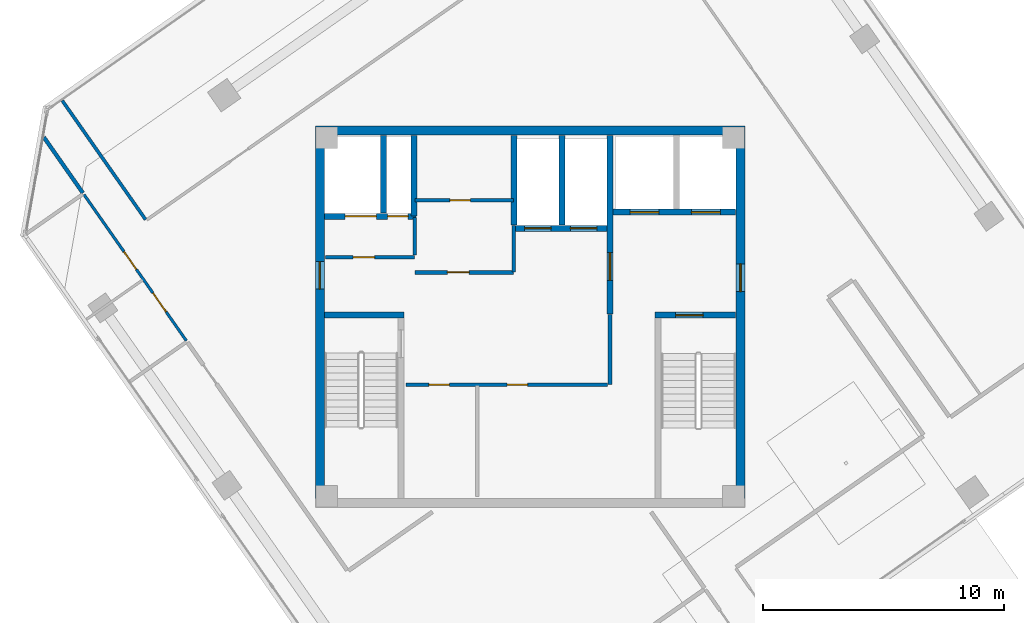
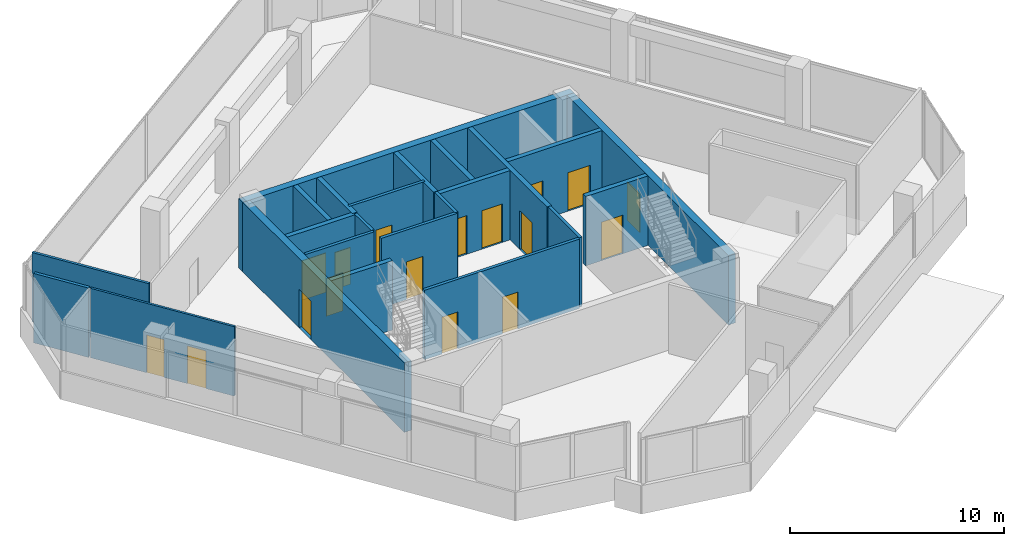
# One storey, part 12 of 17: 23 walls, 17 doors, 17 openings.
"""IFC4 building model written with IfcOpenShell, lengths in metres."""

from ifc_helpers import new_model, si_unit, direction, frame, frame_2d, origin, place, context, subcontext, project, spatial, rectangle, extrude, source, transform, mapped, material, layer, layer_set, type_object, element, fill, save


model = new_model("IFC4")

# Units and contexts
model_context = context("Model", 3, precision=1e-05, world=origin(), true_north=direction((0.0, 1.0)))
body_context = subcontext(model_context, "Body", "Model", "MODEL_VIEW")
ifc_project = project(units=[si_unit("LENGTHUNIT", "METRE"), si_unit("AREAUNIT", "SQUARE_METRE"), si_unit("VOLUMEUNIT", "CUBIC_METRE"), si_unit("PLANEANGLEUNIT", "RADIAN"), si_unit("MASSUNIT", "GRAM", prefix="KILO")], contexts=[model_context])

# Site, building, storey
site_placement = place(None, origin())
site = spatial("IfcSite", under=ifc_project, at=site_placement, CompositionType="ELEMENT")
building_placement = place(site_placement, origin())
building = spatial("IfcBuilding", under=site, at=building_placement, Name="Torre Montelarca", CompositionType="ELEMENT")
storey_placement = place(building_placement, frame((0.0, 0.0, 298.800048828125)))
storey = spatial("IfcBuildingStorey", under=building, at=storey_placement, Name="L67", CompositionType="ELEMENT", Elevation=298.800048828125)

# Wall
ifc_material_1 = material(Name="Concrete C40/50", Category="concrete")
ifc_layer_1 = layer(ifc_material_1, 0.25, Name="Concrete C40/50", Category="concrete")
ifc_layer_set_1 = layer_set([ifc_layer_1], Name="Concrete C40/50")
wall_type_1 = type_object("IfcWallType", Name="CW-SHAFT-250", PredefinedType="SHEAR", material=ifc_layer_set_1)
wall_1_placement = place(storey_placement, frame((9.4599609375, 32.074951171875, 0.0), z_axis=(0.0, 0.0, 1.0), x_axis=(1.0, 0.0, 0.0)))
element("IfcWall", 1, at=wall_1_placement, inside=storey, type_object=wall_type_1, Name="L67 Core Shear Wall SH-ST1-N", PredefinedType="SHEAR", context=body_context, shape_type="SweptSolid", body=[
    extrude(rectangle(XDim=3.2900390625, YDim=0.25, at=frame_2d((1.64501953125, 0.0))), origin(), (0.0, 0.0, 1.0), 3.9599609375),
])

# Wall, opening, door
wall_2_placement = place(storey_placement, frame((23.18994140625, 32.074951171875, 0.0), z_axis=(0.0, 0.0, 1.0), x_axis=(1.0, 0.0, 0.0)))
wall_2 = element("IfcWall", 2, at=wall_2_placement, inside=storey, type_object=wall_type_1, Name="L67 Core Shear Wall SH-ST2-N", PredefinedType="SHEAR", context=body_context, shape_type="SweptSolid", body=[
    extrude(rectangle(XDim=3.35009765625, YDim=0.25, at=frame_2d((1.675048828125, 0.0))), origin(), (0.0, 0.0, 1.0), 3.9599609375),
])
opening_1_placement = place(wall_2_placement, frame((0.85009765625, 0.0, 0.0)))
opening_1 = element("IfcOpeningElement", 3, at=opening_1_placement, cuts=wall_2, Name="Opening FD-ST1", PredefinedType="OPENING", context=body_context, shape_type="SweptSolid", body=[
    extrude(rectangle(XDim=1.14990234375, YDim=2.199951171875, at=frame_2d((0.574951171875, 1.10009765625))), frame((0.0, 0.135009765625, 0.0), z_axis=(0.0, -1.0, 0.0), x_axis=(1.0, 0.0, 0.0)), (0.0, 0.0, 1.0), 0.27001953125),
])
ifc_material_2 = material(Name="Galvanized steel fire door", Category="steel")
door_type_1 = type_object("IfcDoorType", Name="DR-STAIR-115", OperationType="NOTDEFINED", PredefinedType="DOOR", material=ifc_material_2)
shared_shape_1 = source(origin(), body_context, "Body", "SweptSolid", [
    extrude(rectangle(XDim=1.14990234375, YDim=2.199951171875, at=frame_2d((0.574951171875, 1.10009765625))), frame((0.0, 0.02490234375, 0.0), z_axis=(0.0, -1.0, 0.0), x_axis=(1.0, 0.0, 0.0)), (0.0, 0.0, 1.0), 0.050048828125),
])
door_1_placement = place(opening_1_placement, origin())
door_1 = element("IfcDoor", 4, at=door_1_placement, inside=storey, type_object=door_type_1, Name="L67 Exit Stair ST2 Fire Door", OperationType="SINGLE_SWING_RIGHT", OverallHeight=2.199951171875, OverallWidth=1.14990234375, PredefinedType="DOOR", context=body_context, shape_type="MappedRepresentation", body=[
    mapped(shared_shape_1, transform((0.0, 0.0, 0.0), scale=1.0)),
])
fill(opening_1, door_1)

wall_3_placement = place(storey_placement, frame((21.320068359375, 32.1201171875, 0.0), z_axis=(0.0, 0.0, 1.0), x_axis=(0.0, 1.0, 0.0)))
wall_3 = element("IfcWall", 5, at=wall_3_placement, inside=storey, type_object=wall_type_1, Name="L67 Core Shear Wall SH-FFL-W", PredefinedType="SHEAR", context=body_context, shape_type="SweptSolid", body=[
    extrude(rectangle(XDim=7.419921875, YDim=0.25, at=frame_2d((3.7099609375, 0.0))), origin(), (0.0, 0.0, 1.0), 3.9599609375),
])
opening_2_placement = place(wall_3_placement, frame((1.39990234375, 0.0, 0.0)))
opening_2 = element("IfcOpeningElement", 6, at=opening_2_placement, cuts=wall_3, Name="Opening FD-LB1", PredefinedType="OPENING", context=body_context, shape_type="SweptSolid", body=[
    extrude(rectangle(XDim=1.14990234375, YDim=2.199951171875, at=frame_2d((0.574951171875, 1.10009765625))), frame((0.0, 0.135009765625, 0.0), z_axis=(0.0, -1.0, 0.0), x_axis=(1.0, 0.0, 0.0)), (0.0, 0.0, 1.0), 0.27001953125),
])
ifc_material_3 = material(Name="Acoustic timber-veneered fire door", Category="wood")
door_type_2 = type_object("IfcDoorType", Name="DR-LOBBY-115", OperationType="NOTDEFINED", PredefinedType="DOOR", material=ifc_material_3)
shared_shape_2 = source(origin(), body_context, "Body", "SweptSolid", [
    extrude(rectangle(XDim=1.14990234375, YDim=2.199951171875, at=frame_2d((0.574951171875, 1.10009765625))), frame((0.0, 0.02490234375, 0.0), z_axis=(0.0, -1.0, 0.0), x_axis=(1.0, 0.0, 0.0)), (0.0, 0.0, 1.0), 0.050048828125),
])
door_2_placement = place(opening_2_placement, origin())
door_2 = element("IfcDoor", 7, at=door_2_placement, inside=storey, type_object=door_type_2, Name="L67 Lift Lobby to Firefighting Lobby Smoke Door", OperationType="SINGLE_SWING_LEFT", OverallHeight=2.199951171875, OverallWidth=1.14990234375, PredefinedType="DOOR", context=body_context, shape_type="MappedRepresentation", body=[
    mapped(shared_shape_2, transform((0.0, 0.0, 0.0), scale=1.0)),
])
fill(opening_2, door_2)

# Wall, openings, doors
wall_4_placement = place(storey_placement, frame((9.4599609375, 36.179931640625, 0.0), z_axis=(0.0, 0.0, 1.0), x_axis=(1.0, 0.0, 0.0)))
wall_4 = element("IfcWall", 8, at=wall_4_placement, inside=storey, type_object=wall_type_1, Name="L67 Core Shear Wall SH-SV1-S", PredefinedType="SHEAR", context=body_context, shape_type="SweptSolid", body=[
    extrude(rectangle(XDim=3.7900390625, YDim=0.25, at=frame_2d((1.89501953125, 0.0))), origin(), (0.0, 0.0, 1.0), 3.9599609375),
])
opening_3_placement = place(wall_4_placement, frame((2.6201171875, 0.0, 0.0)))
opening_3 = element("IfcOpeningElement", 9, at=opening_3_placement, cuts=wall_4, Name="Opening FD-085", PredefinedType="OPENING", context=body_context, shape_type="SweptSolid", body=[
    extrude(rectangle(XDim=0.85009765625, YDim=2.10009765625, at=frame_2d((0.425048828125, 1.050048828125))), frame((0.0, 0.135009765625, 0.0), z_axis=(0.0, -1.0, 0.0), x_axis=(1.0, 0.0, 0.0)), (0.0, 0.0, 1.0), 0.27001953125),
])
opening_4_placement = place(wall_4_placement, frame((0.85009765625, 0.0, 0.0)))
opening_4 = element("IfcOpeningElement", 10, at=opening_4_placement, cuts=wall_4, Name="Opening LD-130", PredefinedType="OPENING", context=body_context, shape_type="SweptSolid", body=[
    extrude(rectangle(XDim=1.300048828125, YDim=2.25, at=frame_2d((0.64990234375, 1.125))), frame((0.0, 0.135009765625, 0.0), z_axis=(0.0, -1.0, 0.0), x_axis=(1.0, 0.0, 0.0)), (0.0, 0.0, 1.0), 0.27001953125),
])
ifc_material_4 = material(Name="Steel riser access fire door", Category="steel")
door_type_3 = type_object("IfcDoorType", Name="DR-RISER-085", OperationType="NOTDEFINED", PredefinedType="DOOR", material=ifc_material_4)
shared_shape_3 = source(origin(), body_context, "Body", "SweptSolid", [
    extrude(rectangle(XDim=0.85009765625, YDim=2.10009765625, at=frame_2d((0.425048828125, 1.050048828125))), frame((0.0, 0.02490234375, 0.0), z_axis=(0.0, -1.0, 0.0), x_axis=(1.0, 0.0, 0.0)), (0.0, 0.0, 1.0), 0.050048828125),
])
door_3_placement = place(opening_3_placement, origin())
door_3 = element("IfcDoor", 11, at=door_3_placement, inside=storey, type_object=door_type_3, Name="L67 Electrical Riser Shaft Access Door", OperationType="SINGLE_SWING_RIGHT", OverallHeight=2.10009765625, OverallWidth=0.85009765625, PredefinedType="DOOR", context=body_context, shape_type="MappedRepresentation", body=[
    mapped(shared_shape_3, transform((0.0, 0.0, 0.0), scale=1.0)),
])
fill(opening_3, door_3)
ifc_material_5 = material(Name="Brushed stainless steel AISI 316", Category="steel")
door_type_4 = type_object("IfcDoorType", Name="DR-LIFT-130", OperationType="SLIDING_TO_LEFT", PredefinedType="DOOR", material=ifc_material_5)
shared_shape_4 = source(origin(), body_context, "Body", "SweptSolid", [
    extrude(rectangle(XDim=1.300048828125, YDim=2.25, at=frame_2d((0.64990234375, 1.125))), frame((0.0, 0.02490234375, 0.0), z_axis=(0.0, -1.0, 0.0), x_axis=(1.0, 0.0, 0.0)), (0.0, 0.0, 1.0), 0.050048828125),
])
door_4_placement = place(opening_4_placement, origin())
door_4 = element("IfcDoor", 12, at=door_4_placement, inside=storey, type_object=door_type_4, Name="L67 Lift Landing Sliding Door SV-1", OperationType="SLIDING_TO_LEFT", OverallHeight=2.25, OverallWidth=1.300048828125, PredefinedType="DOOR", context=body_context, shape_type="MappedRepresentation", body=[
    mapped(shared_shape_4, transform((0.0, 0.0, 0.0), scale=1.0)),
])
fill(opening_4, door_4)

# Wall
wall_5_placement = place(storey_placement, frame((11.89990234375, 36.31005859375, 0.0), z_axis=(0.0, 0.0, 1.0), x_axis=(0.0, 1.0, 0.0)))
element("IfcWall", 13, at=wall_5_placement, inside=storey, type_object=wall_type_1, Name="L67 Core Shear Wall SH-SV1-E", PredefinedType="SHEAR", context=body_context, shape_type="SweptSolid", body=[
    extrude(rectangle(XDim=3.22998046875, YDim=0.25, at=frame_2d((1.614990234375, 0.0))), origin(), (0.0, 0.0, 1.0), 3.9599609375),
])

# Wall, openings, doors
wall_6_placement = place(storey_placement, frame((21.449951171875, 36.35009765625, 0.0), z_axis=(0.0, 0.0, 1.0), x_axis=(1.0, 0.0, 0.0)))
wall_6 = element("IfcWall", 14, at=wall_6_placement, inside=storey, type_object=wall_type_1, Name="L67 Core Shear Wall SH-FF-S", PredefinedType="SHEAR", context=body_context, shape_type="SweptSolid", body=[
    extrude(rectangle(XDim=5.090087890625, YDim=0.25, at=frame_2d((2.544921875, 0.0))), origin(), (0.0, 0.0, 1.0), 3.9599609375),
])
opening_5_placement = place(wall_6_placement, frame((0.699951171875, 0.0, 0.0)))
opening_5 = element("IfcOpeningElement", 15, at=opening_5_placement, cuts=wall_6, Name="Opening LD-120", PredefinedType="OPENING", context=body_context, shape_type="SweptSolid", body=[
    extrude(rectangle(XDim=1.199951171875, YDim=2.199951171875, at=frame_2d((0.60009765625, 1.10009765625))), frame((0.0, 0.135009765625, 0.0), z_axis=(0.0, -1.0, 0.0), x_axis=(1.0, 0.0, 0.0)), (0.0, 0.0, 1.0), 0.27001953125),
])
opening_6_placement = place(wall_6_placement, frame((3.25, 0.0, 0.0)))
opening_6 = element("IfcOpeningElement", 16, at=opening_6_placement, cuts=wall_6, Name="Opening LD-120", PredefinedType="OPENING", context=body_context, shape_type="SweptSolid", body=[
    extrude(rectangle(XDim=1.199951171875, YDim=2.199951171875, at=frame_2d((0.60009765625, 1.10009765625))), frame((0.0, 0.135009765625, 0.0), z_axis=(0.0, -1.0, 0.0), x_axis=(1.0, 0.0, 0.0)), (0.0, 0.0, 1.0), 0.27001953125),
])
door_type_5 = type_object("IfcDoorType", Name="DR-LIFT-120", OperationType="SLIDING_TO_RIGHT", PredefinedType="DOOR", material=ifc_material_5)
shared_shape_5 = source(origin(), body_context, "Body", "SweptSolid", [
    extrude(rectangle(XDim=1.199951171875, YDim=2.199951171875, at=frame_2d((0.60009765625, 1.10009765625))), frame((0.0, 0.02490234375, 0.0), z_axis=(0.0, -1.0, 0.0), x_axis=(1.0, 0.0, 0.0)), (0.0, 0.0, 1.0), 0.050048828125),
])
door_5_placement = place(opening_5_placement, origin())
door_5 = element("IfcDoor", 17, at=door_5_placement, inside=storey, type_object=door_type_5, Name="L67 Lift Landing Sliding Door FF-1", OperationType="SLIDING_TO_LEFT", OverallHeight=2.199951171875, OverallWidth=1.199951171875, PredefinedType="DOOR", context=body_context, shape_type="MappedRepresentation", body=[
    mapped(shared_shape_5, transform((0.0, 0.0, 0.0), scale=1.0)),
])
fill(opening_5, door_5)
door_6_placement = place(opening_6_placement, origin())
door_6 = element("IfcDoor", 18, at=door_6_placement, inside=storey, type_object=door_type_5, Name="L67 Lift Landing Sliding Door FF-2", OperationType="SLIDING_TO_RIGHT", OverallHeight=2.199951171875, OverallWidth=1.199951171875, PredefinedType="DOOR", context=body_context, shape_type="MappedRepresentation", body=[
    mapped(shared_shape_5, transform((0.0, 0.0, 0.0), scale=1.0)),
])
fill(opening_6, door_6)

# Wall
wall_7_placement = place(storey_placement, frame((13.179931640625, 36.199951171875, 0.0), z_axis=(0.0, 0.0, 1.0), x_axis=(0.0, 1.0, 0.0)))
element("IfcWall", 19, at=wall_7_placement, inside=storey, type_object=wall_type_1, Name="L67 Core Shear Wall SH-RSR1-E", PredefinedType="SHEAR", context=body_context, shape_type="SweptSolid", body=[
    extrude(rectangle(XDim=3.340087890625, YDim=0.25, at=frame_2d((1.669921875, 0.0))), origin(), (0.0, 0.0, 1.0), 3.9599609375),
])

# Wall, openings, doors
wall_8_placement = place(storey_placement, frame((17.320068359375, 35.679931640625, 0.0), z_axis=(0.0, 0.0, 1.0), x_axis=(1.0, 0.0, 0.0)))
wall_8 = element("IfcWall", 20, at=wall_8_placement, inside=storey, type_object=wall_type_1, Name="L67 Core Shear Wall SH-PLH-S", PredefinedType="SHEAR", context=body_context, shape_type="SweptSolid", body=[
    extrude(rectangle(XDim=3.869873046875, YDim=0.25, at=frame_2d((1.93505859375, 0.0))), origin(), (0.0, 0.0, 1.0), 3.9599609375),
])
opening_7_placement = place(wall_8_placement, frame((0.449951171875, 0.0, 0.0)))
opening_7 = element("IfcOpeningElement", 21, at=opening_7_placement, cuts=wall_8, Name="Opening LD-110", PredefinedType="OPENING", context=body_context, shape_type="SweptSolid", body=[
    extrude(rectangle(XDim=1.10009765625, YDim=2.199951171875, at=frame_2d((0.550048828125, 1.10009765625))), frame((0.0, 0.135009765625, 0.0), z_axis=(0.0, -1.0, 0.0), x_axis=(1.0, 0.0, 0.0)), (0.0, 0.0, 1.0), 0.27001953125),
])
opening_8_placement = place(wall_8_placement, frame((2.35009765625, 0.0, 0.0)))
opening_8 = element("IfcOpeningElement", 22, at=opening_8_placement, cuts=wall_8, Name="Opening LD-110", PredefinedType="OPENING", context=body_context, shape_type="SweptSolid", body=[
    extrude(rectangle(XDim=1.10009765625, YDim=2.199951171875, at=frame_2d((0.550048828125, 1.10009765625))), frame((0.0, 0.135009765625, 0.0), z_axis=(0.0, -1.0, 0.0), x_axis=(1.0, 0.0, 0.0)), (0.0, 0.0, 1.0), 0.27001953125),
])
door_type_6 = type_object("IfcDoorType", Name="DR-LIFT-110", OperationType="SLIDING_TO_LEFT", PredefinedType="DOOR", material=ifc_material_5)
shared_shape_6 = source(origin(), body_context, "Body", "SweptSolid", [
    extrude(rectangle(XDim=1.10009765625, YDim=2.199951171875, at=frame_2d((0.550048828125, 1.10009765625))), frame((0.0, 0.02490234375, 0.0), z_axis=(0.0, -1.0, 0.0), x_axis=(1.0, 0.0, 0.0)), (0.0, 0.0, 1.0), 0.050048828125),
])
door_7_placement = place(opening_7_placement, origin())
door_7 = element("IfcDoor", 23, at=door_7_placement, inside=storey, type_object=door_type_6, Name="L67 Lift Landing Sliding Door PL-H1", OperationType="SLIDING_TO_LEFT", OverallHeight=2.199951171875, OverallWidth=1.10009765625, PredefinedType="DOOR", context=body_context, shape_type="MappedRepresentation", body=[
    mapped(shared_shape_6, transform((0.0, 0.0, 0.0), scale=1.0)),
])
fill(opening_7, door_7)
door_8_placement = place(opening_8_placement, origin())
door_8 = element("IfcDoor", 24, at=door_8_placement, inside=storey, type_object=door_type_6, Name="L67 Lift Landing Sliding Door PL-H2", OperationType="SLIDING_TO_RIGHT", OverallHeight=2.199951171875, OverallWidth=1.10009765625, PredefinedType="DOOR", context=body_context, shape_type="MappedRepresentation", body=[
    mapped(shared_shape_6, transform((0.0, 0.0, 0.0), scale=1.0)),
])
fill(opening_8, door_8)

# Walls
for number, where, z_axis, x_axis, name in (
    (25, (17.320068359375, 35.81005859375, 0.0), (0.0, 0.0, 1.0), (0.0, 1.0, 0.0), "L67 Core Shear Wall SH-PLH-W"),
    (26, (19.320068359375, 35.81005859375, 0.0), (0.0, 0.0, 1.0), (0.0, 1.0, 0.0), "L67 Core Shear Wall SH-PLH-M"),
):
    element("IfcWall", number, at=place(storey_placement, frame(where, z_axis=z_axis, x_axis=x_axis)), inside=storey, type_object=wall_type_1, Name=name, PredefinedType="SHEAR", context=body_context, shape_type="SweptSolid", body=[
        extrude(rectangle(XDim=3.72998046875, YDim=0.25, at=frame_2d((1.864990234375, 0.0))), origin(), (0.0, 0.0, 1.0), 3.9599609375),
    ])

# Wall, opening, door
ifc_layer_2 = layer(ifc_material_1, 0.3798828125, Name="Concrete C40/50", Category="concrete")
ifc_layer_set_2 = layer_set([ifc_layer_2], Name="Concrete C40/50")
wall_type_2 = type_object("IfcWallType", Name="CW-SHEAR-380", PredefinedType="SHEAR", material=ifc_layer_set_2)
wall_9_placement = place(storey_placement, frame((9.260009765625, 24.449951171875, 0.0), z_axis=(0.0, 0.0, 1.0), x_axis=(0.0, 1.0, 0.0)))
wall_9 = element("IfcWall", 27, at=wall_9_placement, inside=storey, type_object=wall_type_2, Name="L67 Core Shear Wall CW-W", PredefinedType="SHEAR", context=body_context, shape_type="SweptSolid", body=[
    extrude(rectangle(XDim=15.10009765625, YDim=0.3798828125, at=frame_2d((7.550048828125, 0.0))), origin(), (0.0, 0.0, 1.0), 3.9599609375),
])
opening_9_placement = place(wall_9_placement, frame((8.699951171875, 0.0, 0.0)))
opening_9 = element("IfcOpeningElement", 28, at=opening_9_placement, cuts=wall_9, Name="Opening FD-LB1", PredefinedType="OPENING", context=body_context, shape_type="SweptSolid", body=[
    extrude(rectangle(XDim=1.14990234375, YDim=2.199951171875, at=frame_2d((0.574951171875, 1.10009765625))), frame((0.0, 0.199951171875, 0.0), z_axis=(0.0, -1.0, 0.0), x_axis=(1.0, 0.0, 0.0)), (0.0, 0.0, 1.0), 0.39990234375),
])
door_9_placement = place(opening_9_placement, origin())
door_9 = element("IfcDoor", 29, at=door_9_placement, inside=storey, type_object=door_type_2, Name="L67 Passenger Lift Lobby West Corridor Fire Door", OperationType="SINGLE_SWING_RIGHT", OverallHeight=2.199951171875, OverallWidth=1.14990234375, PredefinedType="DOOR", context=body_context, shape_type="MappedRepresentation", body=[
    mapped(shared_shape_2, transform((0.0, 0.0, 0.0), scale=1.0)),
])
fill(opening_9, door_9)

wall_10_placement = place(storey_placement, frame((26.739990234375, 24.449951171875, 0.0), z_axis=(0.0, 0.0, 1.0), x_axis=(0.0, 1.0, 0.0)))
wall_10 = element("IfcWall", 30, at=wall_10_placement, inside=storey, type_object=wall_type_2, Name="L67 Core Shear Wall CW-E", PredefinedType="SHEAR", context=body_context, shape_type="SweptSolid", body=[
    extrude(rectangle(XDim=15.10009765625, YDim=0.3798828125, at=frame_2d((7.550048828125, 0.0))), origin(), (0.0, 0.0, 1.0), 3.9599609375),
])
opening_10_placement = place(wall_10_placement, frame((8.60009765625, 0.0, 0.0)))
opening_10 = element("IfcOpeningElement", 31, at=opening_10_placement, cuts=wall_10, Name="Opening FD-LB1", PredefinedType="OPENING", context=body_context, shape_type="SweptSolid", body=[
    extrude(rectangle(XDim=1.14990234375, YDim=2.199951171875, at=frame_2d((0.574951171875, 1.10009765625))), frame((0.0, 0.199951171875, 0.0), z_axis=(0.0, -1.0, 0.0), x_axis=(1.0, 0.0, 0.0)), (0.0, 0.0, 1.0), 0.39990234375),
])
door_10_placement = place(opening_10_placement, origin())
door_10 = element("IfcDoor", 32, at=door_10_placement, inside=storey, type_object=door_type_2, Name="L67 Firefighting Lift Lobby Corridor Fire Door", OperationType="SINGLE_SWING_RIGHT", OverallHeight=2.199951171875, OverallWidth=1.14990234375, PredefinedType="DOOR", context=body_context, shape_type="MappedRepresentation", body=[
    mapped(shared_shape_2, transform((0.0, 0.0, 0.0), scale=1.0)),
])
fill(opening_10, door_10)

# Wall
wall_11_placement = place(storey_placement, frame((9.070068359375, 39.739990234375, 0.0), z_axis=(0.0, 0.0, 1.0), x_axis=(1.0, 0.0, 0.0)))
element("IfcWall", 33, at=wall_11_placement, inside=storey, type_object=wall_type_2, Name="L67 Core Shear Wall CW-N1", PredefinedType="SHEAR", context=body_context, shape_type="SweptSolid", body=[
    extrude(rectangle(XDim=17.85986328125, YDim=0.3798828125, at=frame_2d((8.929931640625, 0.0))), origin(), (0.0, 0.0, 1.0), 3.9599609375),
])

# Wall, opening, door
ifc_material_6 = material(Name="Gypsum plasterboard on steel stud", Category="steel")
ifc_layer_3 = layer(ifc_material_6, 0.159912109375, Name="Gypsum plasterboard on steel stud", Category="steel")
ifc_layer_set_3 = layer_set([ifc_layer_3], Name="Gypsum plasterboard on steel stud")
wall_type_3 = type_object("IfcWallType", Name="PW-FIRE-160", PredefinedType="PARTITIONING", material=ifc_layer_set_3)
wall_12_placement = place(storey_placement, frame((9.489990234375, 34.47998046875, 0.0), z_axis=(0.0, 0.0, 1.0), x_axis=(1.0, 0.0, 0.0)))
wall_12 = element("IfcWall", 34, at=wall_12_placement, inside=storey, type_object=wall_type_3, Name="L67 Interior Partition CW-L67-SVS", PredefinedType="PARTITIONING", context=body_context, shape_type="SweptSolid", body=[
    extrude(rectangle(XDim=3.699951171875, YDim=0.159912109375, at=frame_2d((1.85009765625, 0.0))), origin(), (0.0, 0.0, 1.0), 3.9599609375),
])
opening_11_placement = place(wall_12_placement, frame((1.14990234375, 0.0, 0.0)))
opening_11 = element("IfcOpeningElement", 35, at=opening_11_placement, cuts=wall_12, Name="Opening FD-090", PredefinedType="OPENING", context=body_context, shape_type="SweptSolid", body=[
    extrude(rectangle(XDim=0.89990234375, YDim=2.14990234375, at=frame_2d((0.449951171875, 1.074951171875))), frame((0.0, 0.08984375, 0.0), z_axis=(0.0, -1.0, 0.0), x_axis=(1.0, 0.0, 0.0)), (0.0, 0.0, 1.0), 0.179931640625),
])
ifc_material_7 = material(Name="Steel service fire door", Category="steel")
door_type_7 = type_object("IfcDoorType", Name="DR-FIRE-090", OperationType="NOTDEFINED", PredefinedType="DOOR", material=ifc_material_7)
shared_shape_7 = source(origin(), body_context, "Body", "SweptSolid", [
    extrude(rectangle(XDim=0.89990234375, YDim=2.14990234375, at=frame_2d((0.449951171875, 1.074951171875))), frame((0.0, 0.02490234375, 0.0), z_axis=(0.0, -1.0, 0.0), x_axis=(1.0, 0.0, 0.0)), (0.0, 0.0, 1.0), 0.050048828125),
])
door_11_placement = place(opening_11_placement, origin())
door_11 = element("IfcDoor", 36, at=door_11_placement, inside=storey, type_object=door_type_7, Name="L67 Interior Door 01", OperationType="SINGLE_SWING_RIGHT", OverallHeight=2.14990234375, OverallWidth=0.89990234375, PredefinedType="DOOR", context=body_context, shape_type="MappedRepresentation", body=[
    mapped(shared_shape_7, transform((0.0, 0.0, 0.0), scale=1.0)),
])
fill(opening_11, door_11)

# Wall
wall_13_placement = place(storey_placement, frame((13.199951171875, 34.570068359375, 0.0), z_axis=(0.0, 0.0, 1.0), x_axis=(0.0, 1.0, 0.0)))
element("IfcWall", 37, at=wall_13_placement, inside=storey, type_object=wall_type_3, Name="L67 Interior Partition CW-L67-SVE", PredefinedType="PARTITIONING", context=body_context, shape_type="SweptSolid", body=[
    extrude(rectangle(XDim=1.56982421875, YDim=0.159912109375, at=frame_2d((0.784912109375, 0.0))), origin(), (0.0, 0.0, 1.0), 3.9599609375),
])

# Wall, opening, door
wall_14_placement = place(storey_placement, frame((13.2099609375, 33.85009765625, 0.0), z_axis=(0.0, 0.0, 1.0), x_axis=(1.0, 0.0, 0.0)))
wall_14 = element("IfcWall", 38, at=wall_14_placement, inside=storey, type_object=wall_type_3, Name="L67 Interior Partition CW-L67-FRMS", PredefinedType="PARTITIONING", context=body_context, shape_type="SweptSolid", body=[
    extrude(rectangle(XDim=4.10009765625, YDim=0.159912109375, at=frame_2d((2.050048828125, 0.0))), origin(), (0.0, 0.0, 1.0), 3.9599609375),
])
opening_12_placement = place(wall_14_placement, frame((1.35009765625, 0.0, 0.0)))
opening_12 = element("IfcOpeningElement", 39, at=opening_12_placement, cuts=wall_14, Name="Opening FD-090", PredefinedType="OPENING", context=body_context, shape_type="SweptSolid", body=[
    extrude(rectangle(XDim=0.89990234375, YDim=2.14990234375, at=frame_2d((0.449951171875, 1.074951171875))), frame((0.0, 0.08984375, 0.0), z_axis=(0.0, -1.0, 0.0), x_axis=(1.0, 0.0, 0.0)), (0.0, 0.0, 1.0), 0.179931640625),
])
door_12_placement = place(opening_12_placement, origin())
door_12 = element("IfcDoor", 40, at=door_12_placement, inside=storey, type_object=door_type_7, Name="L67 Interior Door 02", OperationType="SINGLE_SWING_LEFT", OverallHeight=2.14990234375, OverallWidth=0.89990234375, PredefinedType="DOOR", context=body_context, shape_type="MappedRepresentation", body=[
    mapped(shared_shape_7, transform((0.0, 0.0, 0.0), scale=1.0)),
])
fill(opening_12, door_12)

# Wall
wall_15_placement = place(storey_placement, frame((17.320068359375, 33.860107421875, 0.0), z_axis=(0.0, 0.0, 1.0), x_axis=(0.0, 1.0, 0.0)))
element("IfcWall", 41, at=wall_15_placement, inside=storey, type_object=wall_type_3, Name="L67 Interior Partition CW-L67-FRME", PredefinedType="PARTITIONING", context=body_context, shape_type="SweptSolid", body=[
    extrude(rectangle(XDim=1.929931640625, YDim=0.159912109375, at=frame_2d((0.96484375, 0.0))), origin(), (0.0, 0.0, 1.0), 3.9599609375),
])

# Wall, opening, door
wall_16_placement = place(storey_placement, frame((13.2099609375, 36.85009765625, 0.0), z_axis=(0.0, 0.0, 1.0), x_axis=(1.0, 0.0, 0.0)))
wall_16 = element("IfcWall", 42, at=wall_16_placement, inside=storey, type_object=wall_type_3, Name="L67 Interior Partition CW-L67-FRMD", PredefinedType="PARTITIONING", context=body_context, shape_type="SweptSolid", body=[
    extrude(rectangle(XDim=4.10009765625, YDim=0.159912109375, at=frame_2d((2.050048828125, 0.0))), origin(), (0.0, 0.0, 1.0), 3.9599609375),
])
opening_13_placement = place(wall_16_placement, frame((1.449951171875, 0.0, 0.0)))
opening_13 = element("IfcOpeningElement", 43, at=opening_13_placement, cuts=wall_16, Name="Opening FD-085", PredefinedType="OPENING", context=body_context, shape_type="SweptSolid", body=[
    extrude(rectangle(XDim=0.85009765625, YDim=2.10009765625, at=frame_2d((0.425048828125, 1.050048828125))), frame((0.0, 0.08984375, 0.0), z_axis=(0.0, -1.0, 0.0), x_axis=(1.0, 0.0, 0.0)), (0.0, 0.0, 1.0), 0.179931640625),
])
door_13_placement = place(opening_13_placement, origin())
door_13 = element("IfcDoor", 44, at=door_13_placement, inside=storey, type_object=door_type_3, Name="L67 Interior Door 03", OperationType="SINGLE_SWING_RIGHT", OverallHeight=2.10009765625, OverallWidth=0.85009765625, PredefinedType="DOOR", context=body_context, shape_type="MappedRepresentation", body=[
    mapped(shared_shape_3, transform((0.0, 0.0, 0.0), scale=1.0)),
])
fill(opening_13, door_13)

# Wall, openings, doors
wall_17_placement = place(storey_placement, frame((12.840087890625, 29.179931640625, 0.0), z_axis=(0.0, 0.0, 1.0), x_axis=(1.0, 0.0, 0.0)))
wall_17 = element("IfcWall", 45, at=wall_17_placement, inside=storey, type_object=wall_type_3, Name="L67 Interior Partition CW-L67-FRDN", PredefinedType="PARTITIONING", context=body_context, shape_type="SweptSolid", body=[
    extrude(rectangle(XDim=8.369873046875, YDim=0.159912109375, at=frame_2d((4.18505859375, 0.0))), origin(), (0.0, 0.0, 1.0), 3.9599609375),
])
opening_14_placement = place(wall_17_placement, frame((0.949951171875, 0.0, 0.0)))
opening_14 = element("IfcOpeningElement", 46, at=opening_14_placement, cuts=wall_17, Name="Opening FD-085", PredefinedType="OPENING", context=body_context, shape_type="SweptSolid", body=[
    extrude(rectangle(XDim=0.85009765625, YDim=2.10009765625, at=frame_2d((0.425048828125, 1.050048828125))), frame((0.0, 0.08984375, 0.0), z_axis=(0.0, -1.0, 0.0), x_axis=(1.0, 0.0, 0.0)), (0.0, 0.0, 1.0), 0.179931640625),
])
opening_15_placement = place(wall_17_placement, frame((4.199951171875, 0.0, 0.0)))
opening_15 = element("IfcOpeningElement", 47, at=opening_15_placement, cuts=wall_17, Name="Opening FD-085", PredefinedType="OPENING", context=body_context, shape_type="SweptSolid", body=[
    extrude(rectangle(XDim=0.85009765625, YDim=2.10009765625, at=frame_2d((0.425048828125, 1.050048828125))), frame((0.0, 0.08984375, 0.0), z_axis=(0.0, -1.0, 0.0), x_axis=(1.0, 0.0, 0.0)), (0.0, 0.0, 1.0), 0.179931640625),
])
door_14_placement = place(opening_14_placement, origin())
door_14 = element("IfcDoor", 48, at=door_14_placement, inside=storey, type_object=door_type_3, Name="L67 Interior Door 04", OperationType="SINGLE_SWING_LEFT", OverallHeight=2.10009765625, OverallWidth=0.85009765625, PredefinedType="DOOR", context=body_context, shape_type="MappedRepresentation", body=[
    mapped(shared_shape_3, transform((0.0, 0.0, 0.0), scale=1.0)),
])
fill(opening_14, door_14)
door_15_placement = place(opening_15_placement, origin())
door_15 = element("IfcDoor", 49, at=door_15_placement, inside=storey, type_object=door_type_3, Name="L67 Interior Door 05", OperationType="SINGLE_SWING_RIGHT", OverallHeight=2.10009765625, OverallWidth=0.85009765625, PredefinedType="DOOR", context=body_context, shape_type="MappedRepresentation", body=[
    mapped(shared_shape_3, transform((0.0, 0.0, 0.0), scale=1.0)),
])
fill(opening_15, door_15)

# Walls
wall_18_placement = place(storey_placement, frame((21.320068359375, 29.18994140625, 0.0), z_axis=(0.0, 0.0, 1.0), x_axis=(0.0, 1.0, 0.0)))
element("IfcWall", 50, at=wall_18_placement, inside=storey, type_object=wall_type_3, Name="L67 Interior Partition CW-L67-FRE", PredefinedType="PARTITIONING", context=body_context, shape_type="SweptSolid", body=[
    extrude(rectangle(XDim=2.920166015625, YDim=0.159912109375, at=frame_2d((1.4599609375, 0.0))), origin(), (0.0, 0.0, 1.0), 3.9599609375),
])
wall_19_placement = place(storey_placement, frame((-2.214111328125, 39.47119140625, 0.0), z_axis=(0.0, 0.0, 1.0), x_axis=(0.573653267657, -0.819098241059, 0.0)))
element("IfcWall", 51, at=wall_19_placement, inside=storey, type_object=wall_type_3, Name="L67 Interior Partition W-L67-SOCCW", PredefinedType="PARTITIONING", context=body_context, shape_type="SweptSolid", body=[
    extrude(rectangle(XDim=2.831787109375, YDim=0.159912109375, at=frame_2d((1.416015625, 0.0))), origin(), (0.0, 0.0, 1.0), 3.9599609375),
])

# Wall, openings, doors
ifc_layer_4 = layer(ifc_material_6, 0.114990234375, Name="Gypsum plasterboard on steel stud", Category="steel")
ifc_layer_set_4 = layer_set([ifc_layer_4], Name="Gypsum plasterboard on steel stud")
wall_type_4 = type_object("IfcWallType", Name="PW-PART-115", PredefinedType="PARTITIONING", material=ifc_layer_set_4)
wall_20_placement = place(storey_placement, frame((-0.543701171875, 37.0859375, 0.0), z_axis=(0.0, 0.0, 1.0), x_axis=(0.573568336404, -0.819157715873, 0.0)))
wall_20 = element("IfcWall", 52, at=wall_20_placement, inside=storey, type_object=wall_type_4, Name="L67 Interior Partition W-L67-WCN", PredefinedType="PARTITIONING", context=body_context, shape_type="SweptSolid", body=[
    extrude(rectangle(XDim=7.419921875, YDim=0.114990234375, at=frame_2d((3.7099609375, 0.0))), origin(), (0.0, 0.0, 1.0), 3.9599609375),
])
opening_16_placement = place(wall_20_placement, frame((2.89990234375, 0.0, 0.0)))
opening_16 = element("IfcOpeningElement", 53, at=opening_16_placement, cuts=wall_20, Name="Opening ID-090", PredefinedType="OPENING", context=body_context, shape_type="SweptSolid", body=[
    extrude(rectangle(XDim=0.89990234375, YDim=2.14990234375, at=frame_2d((0.449951171875, 1.074951171875))), frame((0.0, 0.0673828125, 0.0), z_axis=(0.0, -1.0, 0.0), x_axis=(1.0, 0.0, 0.0)), (0.0, 0.0, 1.0), 0.135009765625),
])
opening_17_placement = place(wall_20_placement, frame((5.0, 0.0, 0.0)))
opening_17 = element("IfcOpeningElement", 54, at=opening_17_placement, cuts=wall_20, Name="Opening ID-095", PredefinedType="OPENING", context=body_context, shape_type="SweptSolid", body=[
    extrude(rectangle(XDim=0.949951171875, YDim=2.14990234375, at=frame_2d((0.47509765625, 1.074951171875))), frame((0.0, 0.0673828125, 0.0), z_axis=(0.0, -1.0, 0.0), x_axis=(1.0, 0.0, 0.0)), (0.0, 0.0, 1.0), 0.135009765625),
])
ifc_material_8 = material(Name="Hardwood acoustic timber veneer", Category="wood")
door_type_8 = type_object("IfcDoorType", Name="DR-INT-090", OperationType="NOTDEFINED", PredefinedType="DOOR", material=ifc_material_8)
shared_shape_8 = source(origin(), body_context, "Body", "SweptSolid", [
    extrude(rectangle(XDim=0.89990234375, YDim=2.14990234375, at=frame_2d((0.449951171875, 1.074951171875))), frame((0.0, 0.02490234375, 0.0), z_axis=(0.0, -1.0, 0.0), x_axis=(1.0, 0.0, 0.0)), (0.0, 0.0, 1.0), 0.050048828125),
])
door_16_placement = place(opening_16_placement, origin())
door_16 = element("IfcDoor", 55, at=door_16_placement, inside=storey, type_object=door_type_8, Name="L67 Interior Door 06", OperationType="SINGLE_SWING_LEFT", OverallHeight=2.14990234375, OverallWidth=0.89990234375, PredefinedType="DOOR", context=body_context, shape_type="MappedRepresentation", body=[
    mapped(shared_shape_8, transform((0.0, 0.0, 0.0), scale=1.0)),
])
fill(opening_16, door_16)
door_type_9 = type_object("IfcDoorType", Name="DR-INT-095", OperationType="NOTDEFINED", PredefinedType="DOOR", material=ifc_material_8)
shared_shape_9 = source(origin(), body_context, "Body", "SweptSolid", [
    extrude(rectangle(XDim=0.949951171875, YDim=2.14990234375, at=frame_2d((0.47509765625, 1.074951171875))), frame((0.0, 0.02490234375, 0.0), z_axis=(0.0, -1.0, 0.0), x_axis=(1.0, 0.0, 0.0)), (0.0, 0.0, 1.0), 0.050048828125),
])
door_17_placement = place(opening_17_placement, origin())
door_17 = element("IfcDoor", 56, at=door_17_placement, inside=storey, type_object=door_type_9, Name="L67 Interior Door 07", OperationType="SINGLE_SWING_RIGHT", OverallHeight=2.14990234375, OverallWidth=0.949951171875, PredefinedType="DOOR", context=body_context, shape_type="MappedRepresentation", body=[
    mapped(shared_shape_9, transform((0.0, 0.0, 0.0), scale=1.0)),
])
fill(opening_17, door_17)

# Wall
ifc_layer_5 = layer(ifc_material_6, 0.135009765625, Name="Gypsum plasterboard on steel stud", Category="steel")
ifc_layer_set_5 = layer_set([ifc_layer_5], Name="Gypsum plasterboard on steel stud")
wall_type_5 = type_object("IfcWallType", Name="PW-PART-135", PredefinedType="PARTITIONING", material=ifc_layer_set_5)
wall_21_placement = place(storey_placement, frame((-1.443115234375, 40.9853515625, 0.0), z_axis=(0.0, 0.0, 1.0), x_axis=(0.573587332855, -0.819144414367, 0.0)))
element("IfcWall", 57, at=wall_21_placement, inside=storey, type_object=wall_type_5, Name="L67 Interior Partition W-L67-WWGS", PredefinedType="PARTITIONING", context=body_context, shape_type="SweptSolid", body=[
    extrude(rectangle(XDim=6.030029296875, YDim=0.135009765625, at=frame_2d((3.01513671875, 0.0))), origin(), (0.0, 0.0, 1.0), 3.9599609375),
])

save(model, "model.ifc")
